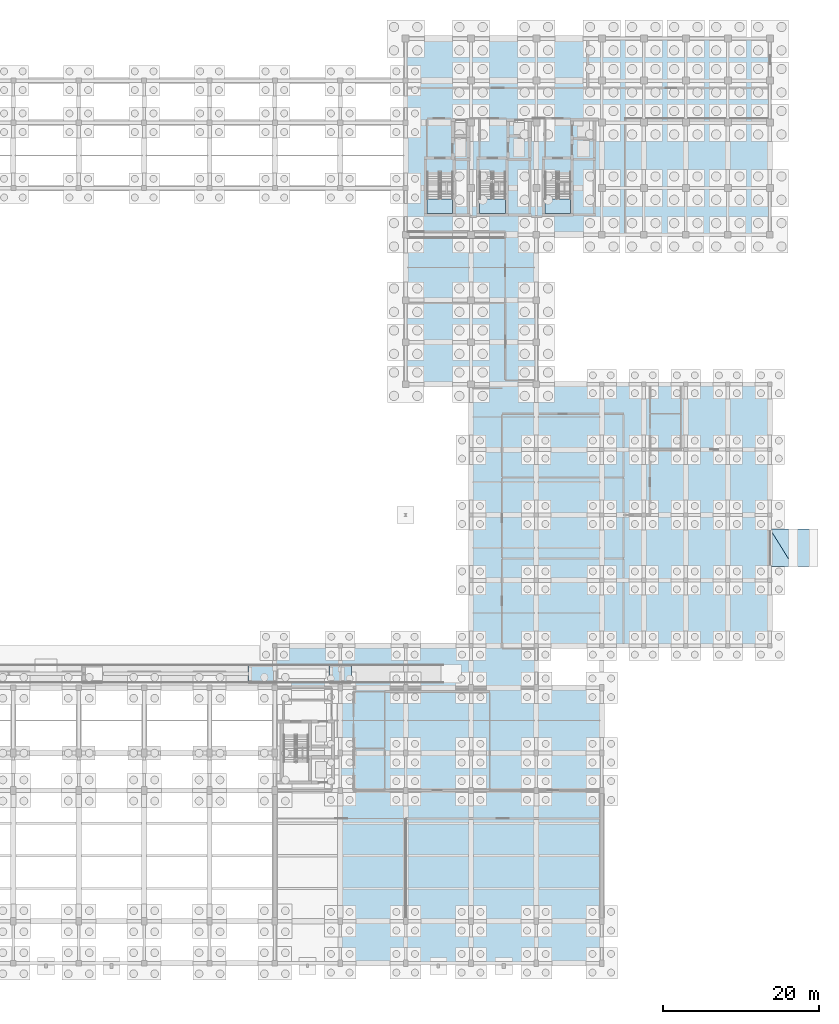
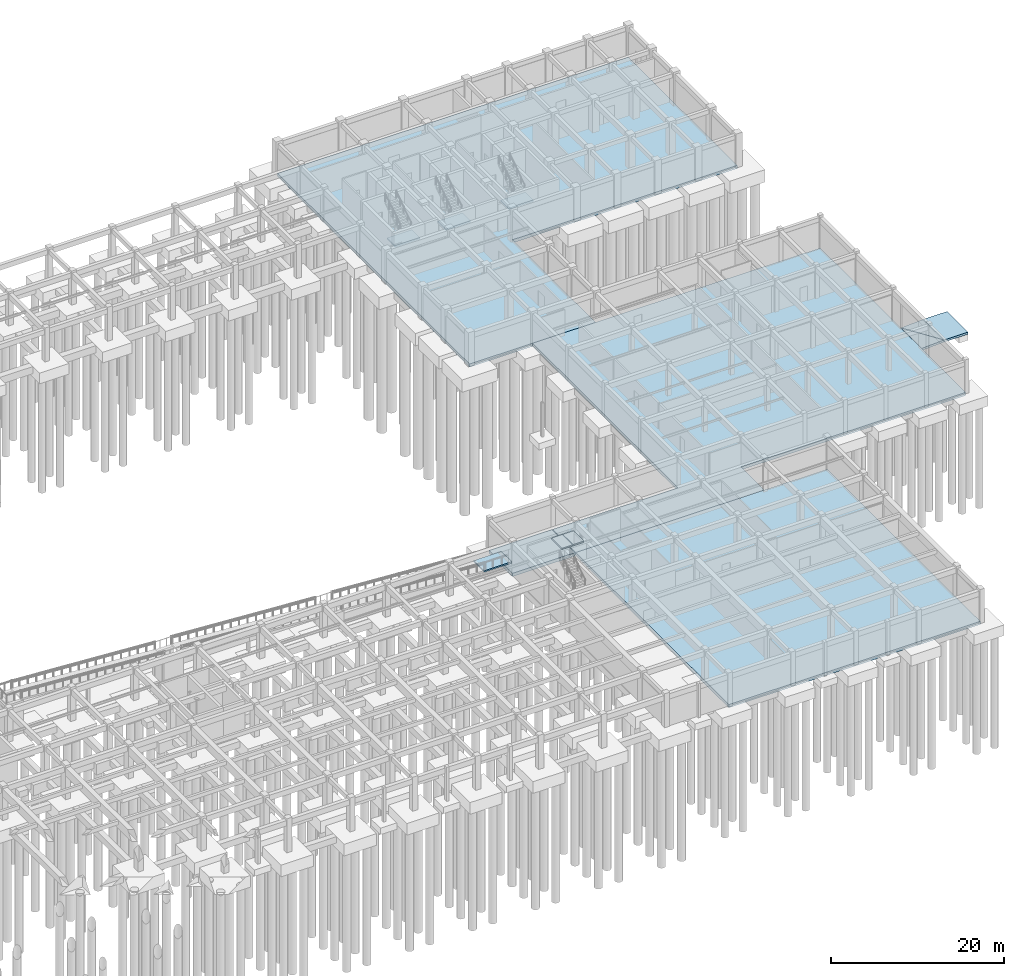
# One storey, part 32 of 49: 13 slabs, 3 elements without a shape of their own.
"""IFC4 building model written with IfcOpenShell, lengths in metres."""

from ifc_helpers import new_model, si_unit, direction, frame, origin, place, context, subcontext, project, spatial, polyline, outline, extrude, material, layer, layer_set, type_object, element, aggregate, save


model = new_model("IFC4")

# Units and contexts
model_context = context("Model", 3, precision=1e-05, world=origin(), true_north=direction((0.0, 1.0)))
body_context = subcontext(model_context, "Body", "Model", "MODEL_VIEW")
ifc_project = project(units=[si_unit("LENGTHUNIT", "METRE"), si_unit("AREAUNIT", "SQUARE_METRE"), si_unit("VOLUMEUNIT", "CUBIC_METRE"), si_unit("PLANEANGLEUNIT", "RADIAN"), si_unit("MASSUNIT", "GRAM", prefix="KILO")], contexts=[model_context])

# Site, building, storey
site_placement = place(None, origin())
site = spatial("IfcSite", under=ifc_project, at=site_placement, CompositionType="ELEMENT")
building_placement = place(site_placement, origin())
building = spatial("IfcBuilding", under=site, at=building_placement, Name="Krzemoval Escarpment Law Courts", CompositionType="ELEMENT")
storey_placement = place(building_placement, frame((0.0, 0.0, -4.800048828125)))
storey = spatial("IfcBuildingStorey", under=building, at=storey_placement, Name="B1", CompositionType="ELEMENT", Elevation=-4.800048828125)

# Slabs
ifc_material_1 = material(Name="Concrete C35/45", Category="concrete")
ifc_layer_1 = layer(ifc_material_1, 0.449951171875)
ifc_layer_set_1 = layer_set([ifc_layer_1], Name="Concrete C35/45")
slab_type_1 = type_object("IfcSlabType", Name="SL-BASE-450", PredefinedType="BASESLAB", material=ifc_layer_set_1)
slab_1_placement = place(storey_placement, frame((0.0, 0.0, -0.449951171875)))
element("IfcSlab", 1, at=slab_1_placement, inside=storey, type_object=slab_type_1, Name="Floor Slab SL-B1-V3-002", PredefinedType="BASESLAB", context=body_context, shape_type="SweptSolid", body=[
    extrude(outline(polyline([(151.199951171875, 35.39990234375), (151.199951171875, 0.0), (117.639892578125, 0.0), (117.639892578125, 35.39990234375), (151.199951171875, 35.39990234375)])), origin(), (0.0, 0.0, 1.0), 0.449951171875),
])
slab_2_placement = place(storey_placement, frame((0.0, 0.0, -0.449951171875)))
element("IfcSlab", 2, at=slab_2_placement, inside=storey, type_object=slab_type_1, Name="Floor Slab SL-B1-V5-003", PredefinedType="BASESLAB", context=body_context, shape_type="SweptSolid", body=[
    extrude(outline(polyline([(126.0, 74.39990234375), (126.0, 118.800048828125), (172.800048828125, 118.800048828125), (172.800048828125, 93.60009765625), (142.800048828125, 93.60009765625), (142.800048828125, 74.39990234375), (126.0, 74.39990234375)])), origin(), (0.0, 0.0, 1.0), 0.449951171875),
])
slab_3_placement = place(storey_placement, frame((0.0, 0.0, -0.449951171875)))
element("IfcSlab", 3, at=slab_3_placement, inside=storey, type_object=slab_type_1, Name="Floor Slab SL-B1-V6-004", PredefinedType="BASESLAB", context=body_context, shape_type="SweptSolid", body=[
    extrude(outline(polyline([(109.199951171875, 35.39990234375), (109.199951171875, 40.800048828125), (117.56005859375, 40.800048828125), (117.56005859375, 35.39990234375), (109.199951171875, 35.39990234375)])), origin(), (0.0, 0.0, 1.0), 0.449951171875),
])
slab_4_placement = place(storey_placement, frame((0.0, 0.0, -0.449951171875)))
element("IfcSlab", 4, at=slab_4_placement, inside=storey, type_object=slab_type_1, Name="Floor Slab SL-B1-V6-005", PredefinedType="BASESLAB", context=body_context, shape_type="SweptSolid", body=[
    extrude(outline(polyline([(117.639892578125, 35.39990234375), (117.639892578125, 40.800048828125), (134.39990234375, 40.800048828125), (134.39990234375, 74.39990234375), (172.800048828125, 74.39990234375), (172.800048828125, 40.800048828125), (142.800048828125, 40.800048828125), (142.800048828125, 35.39990234375), (117.639892578125, 35.39990234375)])), origin(), (0.0, 0.0, 1.0), 0.449951171875),
])
ifc_material_2 = material(Name="Concrete C40/50", Category="concrete")
ifc_layer_2 = layer(ifc_material_2, 0.199951171875)
ifc_layer_set_2 = layer_set([ifc_layer_2], Name="Concrete C40/50")
slab_type_2 = type_object("IfcSlabType", Name="SL-LND-200", PredefinedType="LANDING", material=ifc_layer_set_2)
slab_5_placement = place(storey_placement, frame((0.0, 0.0, 1.0)))
element("IfcSlab", 5, at=slab_5_placement, inside=storey, type_object=slab_type_2, Name="Ramp Landing Slab RLD-04", PredefinedType="LANDING", context=body_context, shape_type="SweptSolid", body=[
    extrude(outline(polyline([(109.449951171875, 36.0), (109.449951171875, 38.39990234375), (105.75, 38.39990234375), (105.75, 36.0), (109.449951171875, 36.0)])), origin(), (0.0, 0.0, 1.0), 0.199951171875),
])
slab_6_placement = place(storey_placement, frame((0.0, 0.0, 0.550048828125)))
element("IfcSlab", 6, at=slab_6_placement, inside=storey, type_object=slab_type_2, Name="Ramp Landing Slab RLD-05", PredefinedType="LANDING", context=body_context, shape_type="SweptSolid", body=[
    extrude(outline(polyline([(117.56005859375, 36.0), (117.56005859375, 38.39990234375), (116.14990234375, 38.39990234375), (116.14990234375, 36.0), (117.56005859375, 36.0)])), origin(), (0.0, 0.0, 1.0), 0.199951171875),
])
slab_7_placement = place(storey_placement, frame((0.0, 0.0, 0.550048828125)))
element("IfcSlab", 7, at=slab_7_placement, inside=storey, type_object=slab_type_2, Name="Ramp Landing Slab RLD-06", PredefinedType="LANDING", context=body_context, shape_type="SweptSolid", body=[
    extrude(outline(polyline([(119.050048828125, 36.0), (119.050048828125, 38.39990234375), (117.639892578125, 38.39990234375), (117.639892578125, 36.0), (119.050048828125, 36.0)])), origin(), (0.0, 0.0, 1.0), 0.199951171875),
])

# Stair, slab
ifc_material_3 = material(Name="Concrete C40/50", Category="concrete")
stair_type = type_object("IfcStairType", Name="STR-CORE-1550", PredefinedType="HALF_TURN_STAIR", material=ifc_material_3)
stair_1_placement = place(storey_placement, origin())
stair_1 = element("IfcStair", 8, at=stair_1_placement, inside=storey, type_object=stair_type, Name="B1 ST1", PredefinedType="HALF_TURN_STAIR")
slab_8_placement = place(storey_placement, frame((0.0, 0.0, 2.199951171875)))
slab_8 = element("IfcSlab", 9, at=slab_8_placement, type_object=slab_type_2, Name="ST1 landing 1", PredefinedType="LANDING", context=body_context, shape_type="SweptSolid", body=[
    extrude(outline(polyline([(128.75, 98.219970703125), (128.75, 96.35009765625), (132.050048828125, 96.35009765625), (132.050048828125, 98.219970703125), (128.75, 98.219970703125)])), origin(), (0.0, 0.0, 1.0), 0.2001953125),
])
aggregate(stair_1, [slab_8])

stair_2_placement = place(storey_placement, origin())
stair_2 = element("IfcStair", 10, at=stair_2_placement, inside=storey, type_object=stair_type, Name="B1 ST2", PredefinedType="HALF_TURN_STAIR")
slab_9_placement = place(storey_placement, frame((0.0, 0.0, 2.199951171875)))
slab_9 = element("IfcSlab", 11, at=slab_9_placement, type_object=slab_type_2, Name="ST2 landing 1", PredefinedType="LANDING", context=body_context, shape_type="SweptSolid", body=[
    extrude(outline(polyline([(135.5, 98.219970703125), (135.5, 96.35009765625), (138.800048828125, 96.35009765625), (138.800048828125, 98.219970703125), (135.5, 98.219970703125)])), origin(), (0.0, 0.0, 1.0), 0.2001953125),
])
aggregate(stair_2, [slab_9])

stair_3_placement = place(storey_placement, origin())
stair_3 = element("IfcStair", 12, at=stair_3_placement, inside=storey, type_object=stair_type, Name="B1 ST3", PredefinedType="HALF_TURN_STAIR")
slab_10_placement = place(storey_placement, frame((0.0, 0.0, 2.199951171875)))
slab_10 = element("IfcSlab", 13, at=slab_10_placement, type_object=slab_type_2, Name="ST3 landing 1", PredefinedType="LANDING", context=body_context, shape_type="SweptSolid", body=[
    extrude(outline(polyline([(143.89990234375, 98.219970703125), (143.89990234375, 96.35009765625), (147.199951171875, 96.35009765625), (147.199951171875, 98.219970703125), (143.89990234375, 98.219970703125)])), origin(), (0.0, 0.0, 1.0), 0.2001953125),
])
aggregate(stair_3, [slab_10])

# Slabs
ifc_material_4 = material(Name="Concrete C35/45", Category="concrete")
ifc_layer_3 = layer(ifc_material_4, 0.300048828125)
ifc_layer_set_3 = layer_set([ifc_layer_3], Name="Concrete C35/45")
slab_type_3 = type_object("IfcSlabType", Name="SL-VRAMP-300", PredefinedType="BASESLAB", material=ifc_layer_set_3)
slab_11_placement = place(storey_placement, frame((0.0, 0.0, -0.14990234375)))
element("IfcSlab", 14, at=slab_11_placement, inside=storey, type_object=slab_type_3, Name="Custody Sally Port Vehicle Apron Slab SL-VR-APR", PredefinedType="BASESLAB", context=body_context, shape_type="SweptSolid", body=[
    extrude(outline(polyline([(179.0, 51.0), (179.0, 55.800048828125), (175.800048828125, 55.800048828125), (175.800048828125, 51.0), (179.0, 51.0)])), origin(), (0.0, 0.0, 1.0), 0.300048828125),
])
slab_12_placement = place(storey_placement, frame((175.800048828125, 51.0, 0.150146484375), z_axis=(-0.050153184076, 0.0, 0.998741537199), x_axis=(-0.998741537199, 0.0, -0.050153184076)))
element("IfcSlab", 15, at=slab_12_placement, inside=storey, type_object=slab_type_3, Name="Custody Sally Port Vehicle Ramp Slab SL-VR-01A", PredefinedType="BASESLAB", context=body_context, shape_type="SweptSolid", body=[
    extrude(outline(polyline([(0.0, 0.0), (2.9937577671595346, 0.0), (2.9937577671595346, -4.800048828125), (0.0, 0.0)])), origin(), (0.0, 0.0, -1.0), 0.300048828125),
])
slab_13_placement = place(storey_placement, frame((175.800048828125, 51.0, 0.150146484375), z_axis=(-0.050153184076, 0.0, 0.998741537199), x_axis=(-0.528535369507, 0.84849627663, -0.026541132706)))
element("IfcSlab", 16, at=slab_13_placement, inside=storey, type_object=slab_type_3, Name="Custody Sally Port Vehicle Ramp Slab SL-VR-01B", PredefinedType="BASESLAB", context=body_context, shape_type="SweptSolid", body=[
    extrude(outline(polyline([(0.0, 0.0), (5.657124209420563, -2.3071822230491534e-16), (4.072823558304747, -2.5401923185660658), (0.0, 0.0)])), origin(), (0.0, 0.0, -1.0), 0.300048828125),
])

save(model, "model.ifc")
